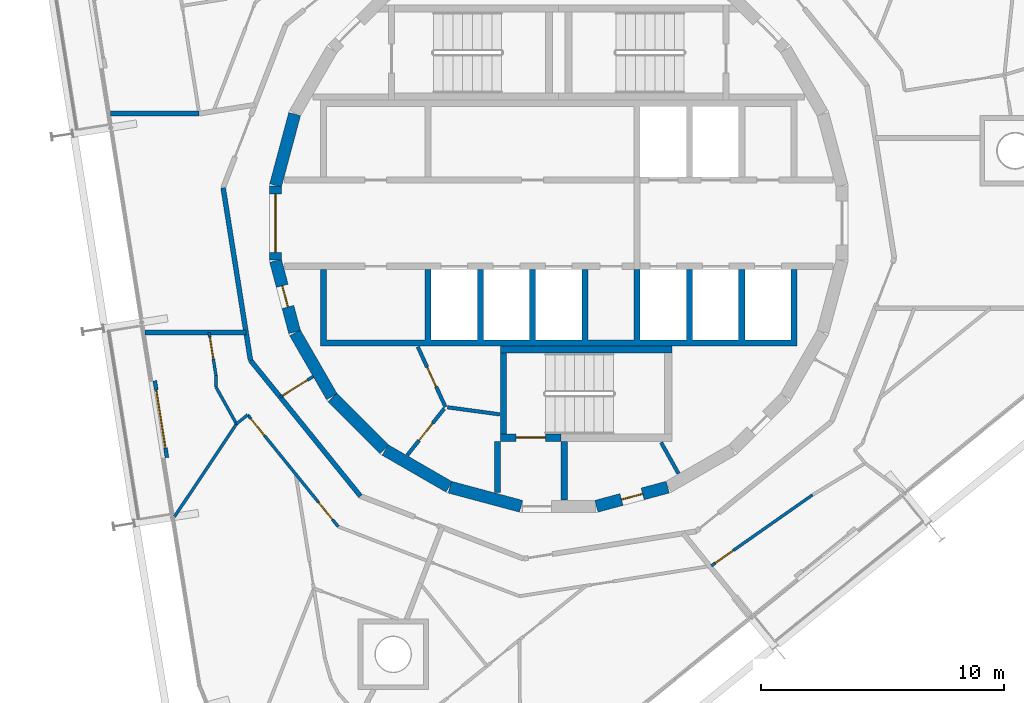
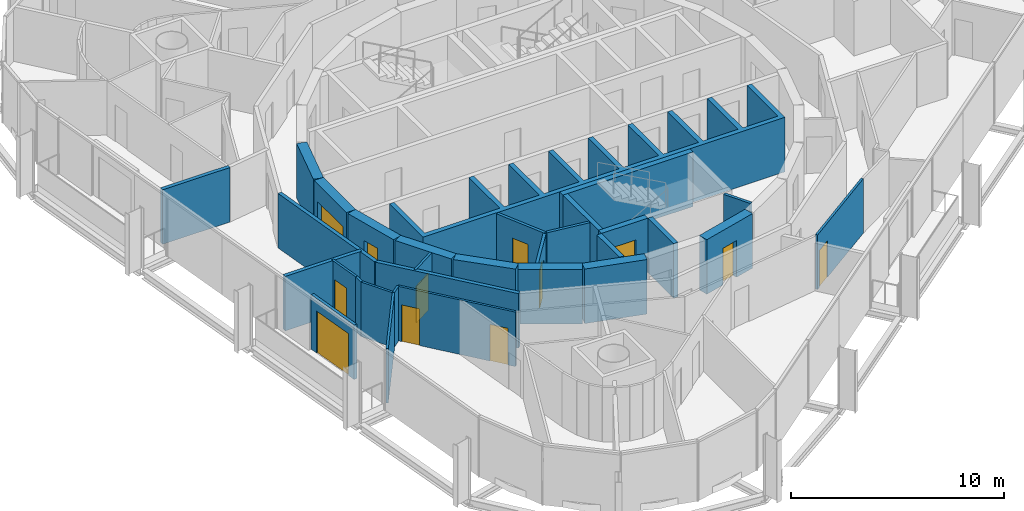
# One storey, part 12 of 18: 31 walls, 12 doors, 12 openings.
"""IFC4 building model written with IfcOpenShell, lengths in metres."""

from ifc_helpers import new_model, si_unit, direction, frame, frame_2d, origin, place, context, subcontext, project, spatial, polyline, rectangle, outline, extrude, material, layer, layer_set, type_object, element, fill, save


model = new_model("IFC4")

# Units and contexts
model_context = context("Model", 3, precision=1e-05, world=origin(), true_north=direction((0.0, 1.0)))
body_context = subcontext(model_context, "Body", "Model", "MODEL_VIEW")
ifc_project = project(units=[si_unit("LENGTHUNIT", "METRE"), si_unit("AREAUNIT", "SQUARE_METRE"), si_unit("VOLUMEUNIT", "CUBIC_METRE"), si_unit("PLANEANGLEUNIT", "RADIAN"), si_unit("MASSUNIT", "GRAM", prefix="KILO")], contexts=[model_context])

# Site, building, storey
site_placement = place(None, origin())
site = spatial("IfcSite", under=ifc_project, at=site_placement, CompositionType="ELEMENT")
building_placement = place(site_placement, origin())
building = spatial("IfcBuilding", under=site, at=building_placement, Name="Spindle Arch Residences", CompositionType="ELEMENT")
storey_placement = place(building_placement, frame((0.0, 0.0, 280.89990234375)))
storey = spatial("IfcBuildingStorey", under=building, at=storey_placement, Name="L72", CompositionType="ELEMENT", Elevation=280.89990234375)

# Wall, opening, door
ifc_material_1 = material(Name="Concrete C50/60", Category="concrete")
ifc_layer_1 = layer(ifc_material_1, 0.5)
ifc_layer_set_1 = layer_set([ifc_layer_1], Name="Core outline wall 500")
wall_type_1 = type_object("IfcWallType", Name="Core outline wall 500", PredefinedType="SHEAR", material=ifc_layer_set_1)
wall_1_placement = place(storey_placement, frame((1.5498046875, -11.642822265625, 0.0), z_axis=(0.0, 0.0, 1.0), x_axis=(0.965948410781, 0.258734743916, 0.0)))
wall_1 = element("IfcWall", 1, at=wall_1_placement, inside=storey, type_object=wall_type_1, Name="Core outline wall 1", PredefinedType="SHEAR", context=body_context, shape_type="SweptSolid", body=[
    extrude(rectangle(XDim=3.03271484375, YDim=0.5, at=frame_2d((1.516357421875, 0.0))), origin(), (0.0, 0.0, 1.0), 3.1201171875),
])
opening_1_placement = place(wall_1_placement, frame((1.06640625, 0.0, 0.0)))
opening_1 = element("IfcOpeningElement", 2, at=opening_1_placement, cuts=wall_1, Name="Opening R7B1-WD09", PredefinedType="OPENING", context=body_context, shape_type="SweptSolid", body=[
    extrude(rectangle(XDim=0.89990234375, YDim=2.10009765625, at=frame_2d((0.449951171875, 1.050048828125))), frame((0.0, 0.260009765625, 0.0), z_axis=(0.0, -1.0, 0.0), x_axis=(1.0, 0.0, 0.0)), (0.0, 0.0, 1.0), 0.52001953125),
])
ifc_material_2 = material(Name="Steel, fire-resisting door", Category="steel")
door_type_1 = type_object("IfcDoorType", Name="Service room door 900x2100", OperationType="SINGLE_SWING_LEFT", PredefinedType="DOOR", material=ifc_material_2)
door_1_placement = place(opening_1_placement, origin())
door_1 = element("IfcDoor", 3, at=door_1_placement, inside=storey, type_object=door_type_1, Name="Service room door R7B1-WD09", OperationType="SINGLE_SWING_LEFT", OverallHeight=2.10009765625, OverallWidth=0.89990234375, PredefinedType="DOOR", context=body_context, shape_type="SweptSolid", body=[
    extrude(rectangle(XDim=0.89990234375, YDim=2.10009765625, at=frame_2d((0.449951171875, 1.050048828125))), frame((0.0, 0.02490234375, 0.0), z_axis=(0.0, -1.0, 0.0), x_axis=(1.0, 0.0, 0.0)), (0.0, 0.0, 1.0), 0.050048828125),
])
fill(opening_1, door_1)

# Wall
wall_2_placement = place(storey_placement, frame((-10.858154296875, 4.479248046875, 0.0), z_axis=(0.0, 0.0, 1.0), x_axis=(-0.258734743916, -0.965948410781, 0.0)))
element("IfcWall", 4, at=wall_2_placement, inside=storey, type_object=wall_type_1, Name="Core outline wall 17", PredefinedType="SHEAR", context=body_context, shape_type="SweptSolid", body=[
    extrude(rectangle(XDim=3.03271484375, YDim=0.5, at=frame_2d((1.516357421875, 0.0))), origin(), (0.0, 0.0, 1.0), 3.1201171875),
])

# Wall, opening, door
wall_3_placement = place(storey_placement, frame((-11.647216796875, 1.516357421875, 0.0), z_axis=(0.0, 0.0, 1.0), x_axis=(0.0, -1.0, 0.0)))
wall_3 = element("IfcWall", 5, at=wall_3_placement, inside=storey, type_object=wall_type_1, Name="Core outline wall 18", PredefinedType="SHEAR", context=body_context, shape_type="SweptSolid", body=[
    extrude(rectangle(XDim=3.03271484375, YDim=0.5, at=frame_2d((1.516357421875, 0.0))), origin(), (0.0, 0.0, 1.0), 3.1201171875),
])
opening_2_placement = place(wall_3_placement, frame((0.31640625, 0.0, 0.0)))
opening_2 = element("IfcOpeningElement", 6, at=opening_2_placement, cuts=wall_3, Name="Opening R7B1-LE01", PredefinedType="OPENING", context=body_context, shape_type="SweptSolid", body=[
    extrude(rectangle(XDim=2.39990234375, YDim=2.10009765625, at=frame_2d((1.199951171875, 1.050048828125))), frame((0.0, 0.260009765625, 0.0), z_axis=(0.0, -1.0, 0.0), x_axis=(1.0, 0.0, 0.0)), (0.0, 0.0, 1.0), 0.52001953125),
])
ifc_material_3 = material(Name="Steel, fire-resisting door", Category="steel")
door_type_2 = type_object("IfcDoorType", Name="Lift lobby entrance door 2400x2100", OperationType="DOUBLE_DOOR_SINGLE_SWING", PredefinedType="DOOR", material=ifc_material_3)
door_2_placement = place(opening_2_placement, origin())
door_2 = element("IfcDoor", 7, at=door_2_placement, inside=storey, type_object=door_type_2, Name="Lift lobby entrance door R7B1-LE01", OperationType="DOUBLE_DOOR_SINGLE_SWING", OverallHeight=2.10009765625, OverallWidth=2.39990234375, PredefinedType="DOOR", context=body_context, shape_type="SweptSolid", body=[
    extrude(rectangle(XDim=2.39990234375, YDim=2.10009765625, at=frame_2d((1.199951171875, 1.050048828125))), frame((0.0, 0.02490234375, 0.0), z_axis=(0.0, -1.0, 0.0), x_axis=(1.0, 0.0, 0.0)), (0.0, 0.0, 1.0), 0.050048828125),
])
fill(opening_2, door_2)

wall_4_placement = place(storey_placement, frame((-11.642822265625, -1.5498046875, 0.0), z_axis=(0.0, 0.0, 1.0), x_axis=(0.258734743916, -0.965948410781, 0.0)))
wall_4 = element("IfcWall", 8, at=wall_4_placement, inside=storey, type_object=wall_type_1, Name="Core outline wall 19", PredefinedType="SHEAR", context=body_context, shape_type="SweptSolid", body=[
    extrude(rectangle(XDim=3.03271484375, YDim=0.5, at=frame_2d((1.516357421875, 0.0))), origin(), (0.0, 0.0, 1.0), 3.1201171875),
])
opening_3_placement = place(wall_4_placement, frame((1.06640625, 0.0, 0.0)))
opening_3 = element("IfcOpeningElement", 9, at=opening_3_placement, cuts=wall_4, Name="Opening R7B1-WD10", PredefinedType="OPENING", context=body_context, shape_type="SweptSolid", body=[
    extrude(rectangle(XDim=0.89990234375, YDim=2.10009765625, at=frame_2d((0.449951171875, 1.050048828125))), frame((0.0, 0.260009765625, 0.0), z_axis=(0.0, -1.0, 0.0), x_axis=(1.0, 0.0, 0.0)), (0.0, 0.0, 1.0), 0.52001953125),
])
door_3_placement = place(opening_3_placement, origin())
door_3 = element("IfcDoor", 10, at=door_3_placement, inside=storey, type_object=door_type_1, Name="Service room door R7B1-WD10", OperationType="SINGLE_SWING_RIGHT", OverallHeight=2.10009765625, OverallWidth=0.89990234375, PredefinedType="DOOR", context=body_context, shape_type="SweptSolid", body=[
    extrude(rectangle(XDim=0.89990234375, YDim=2.10009765625, at=frame_2d((0.449951171875, 1.050048828125))), frame((0.0, 0.02490234375, 0.0), z_axis=(0.0, -1.0, 0.0), x_axis=(1.0, 0.0, 0.0)), (0.0, 0.0, 1.0), 0.050048828125),
])
fill(opening_3, door_3)

# Walls
wall_5_placement = place(storey_placement, frame((-10.84521484375, -4.510498046875, 0.0), z_axis=(0.0, 0.0, 1.0), x_axis=(0.500087131594, -0.865975092491, 0.0)))
element("IfcWall", 11, at=wall_5_placement, inside=storey, type_object=wall_type_1, Name="Core outline wall 20", PredefinedType="SHEAR", context=body_context, shape_type="SweptSolid", body=[
    extrude(rectangle(XDim=3.03271484375, YDim=0.5, at=frame_2d((1.516357421875, 0.0))), origin(), (0.0, 0.0, 1.0), 3.1201171875),
])
wall_6_placement = place(storey_placement, frame((-9.30810546875, -7.163818359375, 0.0), z_axis=(0.0, 0.0, 1.0), x_axis=(0.707106781187, -0.707106781187, 0.0)))
element("IfcWall", 12, at=wall_6_placement, inside=storey, type_object=wall_type_1, Name="Core outline wall 21", PredefinedType="SHEAR", context=body_context, shape_type="SweptSolid", body=[
    extrude(rectangle(XDim=3.032470703125, YDim=0.5, at=frame_2d((1.51611328125, 0.0))), origin(), (0.0, 0.0, 1.0), 3.1201171875),
])
for number, where, z_axis, x_axis, name in (
    (13, (-7.13671875, -9.32861328125, 0.0), (0.0, 0.0, 1.0), (0.865975092491, -0.500087131594, 0.0), "Core outline wall 22"),
    (14, (-4.479248046875, -10.858154296875, 0.0), (0.0, 0.0, 1.0), (0.965948410781, -0.258734743916, 0.0), "Core outline wall 23"),
):
    element("IfcWall", number, at=place(storey_placement, frame(where, z_axis=z_axis, x_axis=x_axis)), inside=storey, type_object=wall_type_1, Name=name, PredefinedType="SHEAR", context=body_context, shape_type="SweptSolid", body=[
        extrude(rectangle(XDim=3.03271484375, YDim=0.5, at=frame_2d((1.516357421875, 0.0))), origin(), (0.0, 0.0, 1.0), 3.1201171875),
    ])

# Wall, opening, door
ifc_material_4 = material(Name="Plasterboard on steel studs", Category="steel")
ifc_layer_2 = layer(ifc_material_4, 0.1201171875)
ifc_layer_set_2 = layer_set([ifc_layer_2], Name="Corridor division wall 120")
wall_type_2 = type_object("IfcWallType", Name="Corridor division wall 120", PredefinedType="PARTITIONING", material=ifc_layer_set_2)
wall_7_placement = place(storey_placement, frame((-11.44921875, -7.154296875, 0.0), z_axis=(0.0, 0.0, 1.0), x_axis=(0.848067047543, 0.529888934468, 0.0)))
wall_7 = element("IfcWall", 15, at=wall_7_placement, inside=storey, type_object=wall_type_2, Name="Corridor division wall R7B1-W003", PredefinedType="PARTITIONING", context=body_context, shape_type="SweptSolid", body=[
    extrude(rectangle(XDim=1.595947265625, YDim=0.1201171875, at=frame_2d((0.7978515625, 0.0))), origin(), (0.0, 0.0, 1.0), 3.1201171875),
])
opening_4_placement = place(wall_7_placement, frame((0.1201171875, 0.0, 0.0)))
opening_4 = element("IfcOpeningElement", 16, at=opening_4_placement, cuts=wall_7, Name="Opening R7B1-CD03", PredefinedType="OPENING", context=body_context, shape_type="SweptSolid", body=[
    extrude(rectangle(XDim=1.199951171875, YDim=2.10009765625, at=frame_2d((0.60009765625, 1.050048828125))), frame((0.0, 0.070068359375, 0.0), z_axis=(0.0, -1.0, 0.0), x_axis=(1.0, 0.0, 0.0)), (0.0, 0.0, 1.0), 0.14013671875),
])
ifc_material_5 = material(Name="Steel, fire-resisting door", Category="steel")
door_type_3 = type_object("IfcDoorType", Name="Corridor division door 1200x2100", OperationType="NOTDEFINED", PredefinedType="DOOR", material=ifc_material_5)
door_4_placement = place(opening_4_placement, origin())
door_4 = element("IfcDoor", 17, at=door_4_placement, inside=storey, type_object=door_type_3, Name="Corridor division door R7B1-CD03", OperationType="DOUBLE_DOOR_SINGLE_SWING", OverallHeight=2.10009765625, OverallWidth=1.199951171875, PredefinedType="DOOR", context=body_context, shape_type="SweptSolid", body=[
    extrude(rectangle(XDim=1.199951171875, YDim=2.10009765625, at=frame_2d((0.60009765625, 1.050048828125))), frame((0.0, 0.02490234375, 0.0), z_axis=(0.0, -1.0, 0.0), x_axis=(1.0, 0.0, 0.0)), (0.0, 0.0, 1.0), 0.050048828125),
])
fill(opening_4, door_4)

# Wall
ifc_material_6 = material(Name="Calcium silicate block, plastered")
ifc_layer_3 = layer(ifc_material_6, 0.199951171875)
ifc_layer_set_3 = layer_set([ifc_layer_3], Name="Corridor wall 200")
wall_type_3 = type_object("IfcWallType", Name="Corridor wall 200", PredefinedType="STANDARD", material=ifc_layer_set_3)
wall_8_placement = place(storey_placement, frame((-12.67333984375, -5.642578125, 0.0), z_axis=(0.0, 0.0, 1.0), x_axis=(0.629302871585, -0.777160148113, 0.0)))
element("IfcWall", 18, at=wall_8_placement, inside=storey, type_object=wall_type_3, Name="Corridor wall R7B1-W012", PredefinedType="STANDARD", context=body_context, shape_type="SweptSolid", body=[
    extrude(rectangle(XDim=7.180908203125, YDim=0.199951171875, at=frame_2d((3.59033203125, 0.0))), origin(), (0.0, 0.0, 1.0), 3.1201171875),
])

# Wall, opening, door
ifc_material_7 = material(Name="Plasterboard on steel studs", Category="steel")
ifc_layer_4 = layer(ifc_material_7, 0.1201171875)
ifc_layer_set_4 = layer_set([ifc_layer_4], Name="Flat partition 120")
wall_type_4 = type_object("IfcWallType", Name="Flat partition 120", PredefinedType="PARTITIONING", material=ifc_layer_set_4)
wall_9_placement = place(storey_placement, frame((-14.373046875, -4.5, 0.0), z_axis=(0.0, 0.0, 1.0), x_axis=(0.156437152886, -0.987687914878, 0.0)))
wall_9 = element("IfcWall", 19, at=wall_9_placement, inside=storey, type_object=wall_type_4, Name="Flat partition R7B1-W068", PredefinedType="PARTITIONING", context=body_context, shape_type="SweptSolid", body=[
    extrude(rectangle(XDim=1.79638671875, YDim=0.1201171875, at=frame_2d((0.898193359375, 0.0))), origin(), (0.0, 0.0, 1.0), 3.1201171875),
])
opening_5_placement = place(wall_9_placement, frame((0.199951171875, 0.0, 0.0)))
opening_5 = element("IfcOpeningElement", 20, at=opening_5_placement, cuts=wall_9, Name="Opening R7B1-ID15", PredefinedType="OPENING", context=body_context, shape_type="SweptSolid", body=[
    extrude(rectangle(XDim=0.89990234375, YDim=2.10009765625, at=frame_2d((0.449951171875, 1.050048828125))), frame((0.0, 0.070068359375, 0.0), z_axis=(0.0, -1.0, 0.0), x_axis=(1.0, 0.0, 0.0)), (0.0, 0.0, 1.0), 0.14013671875),
])
ifc_material_8 = material(Name="Timber door set", Category="wood")
door_type_4 = type_object("IfcDoorType", Name="Room door 900x2100", OperationType="NOTDEFINED", PredefinedType="DOOR", material=ifc_material_8)
door_5_placement = place(opening_5_placement, origin())
door_5 = element("IfcDoor", 21, at=door_5_placement, inside=storey, type_object=door_type_4, Name="Room door R7B1-ID15", OperationType="SINGLE_SWING_RIGHT", OverallHeight=2.10009765625, OverallWidth=0.89990234375, PredefinedType="DOOR", context=body_context, shape_type="SweptSolid", body=[
    extrude(rectangle(XDim=0.89990234375, YDim=2.10009765625, at=frame_2d((0.449951171875, 1.050048828125))), frame((0.0, 0.02490234375, 0.0), z_axis=(0.0, -1.0, 0.0), x_axis=(1.0, 0.0, 0.0)), (0.0, 0.0, 1.0), 0.050048828125),
])
fill(opening_5, door_5)

# Walls
wall_10_placement = place(storey_placement, frame((-14.092041015625, -6.274169921875, 0.0), z_axis=(0.0, 0.0, 1.0), x_axis=(0.008221715939, -0.999966201122, 0.0)))
element("IfcWall", 22, at=wall_10_placement, inside=storey, type_object=wall_type_4, Name="Flat partition R7B1-W069", PredefinedType="PARTITIONING", context=body_context, shape_type="SweptSolid", body=[
    extrude(rectangle(XDim=0.47509765625, YDim=0.1201171875, at=frame_2d((0.237548828125, 0.0))), origin(), (0.0, 0.0, 1.0), 3.1201171875),
])
wall_11_placement = place(storey_placement, frame((-14.088134765625, -6.749267578125, 0.0), z_axis=(0.0, 0.0, 1.0), x_axis=(0.486723752783, -0.873555944675, 0.0)))
element("IfcWall", 23, at=wall_11_placement, inside=storey, type_object=wall_type_4, Name="Flat partition R7B1-W070", PredefinedType="PARTITIONING", context=body_context, shape_type="SweptSolid", body=[
    extrude(rectangle(XDim=1.7255859375, YDim=0.1201171875, at=frame_2d((0.86279296875, 0.0))), origin(), (0.0, 0.0, 1.0), 3.1201171875),
])
wall_12_placement = place(storey_placement, frame((-13.248291015625, -8.256591796875, 0.0), z_axis=(0.0, 0.0, 1.0), x_axis=(0.777071947771, 0.629411779352, 0.0)))
element("IfcWall", 24, at=wall_12_placement, inside=storey, type_object=wall_type_4, Name="Flat partition R7B1-W071", PredefinedType="PARTITIONING", context=body_context, shape_type="SweptSolid", body=[
    extrude(rectangle(XDim=0.591796875, YDim=0.1201171875, at=frame_2d((0.2958984375, 0.0))), origin(), (0.0, 0.0, 1.0), 3.1201171875),
])

# Wall, openings, doors
wall_13_placement = place(storey_placement, frame((-12.788330078125, -7.884033203125, 0.0), z_axis=(0.0, 0.0, 1.0), x_axis=(0.6293312414, -0.777137174891, 0.0)))
wall_13 = element("IfcWall", 25, at=wall_13_placement, inside=storey, type_object=wall_type_4, Name="Flat partition R7B1-W072", PredefinedType="PARTITIONING", context=body_context, shape_type="SweptSolid", body=[
    extrude(rectangle(XDim=5.913330078125, YDim=0.1201171875, at=frame_2d((2.95654296875, 0.0))), origin(), (0.0, 0.0, 1.0), 3.1201171875),
])
opening_6_placement = place(wall_13_placement, frame((0.199951171875, 0.0, 0.0)))
opening_6 = element("IfcOpeningElement", 26, at=opening_6_placement, cuts=wall_13, Name="Opening R7B1-ID16", PredefinedType="OPENING", context=body_context, shape_type="SweptSolid", body=[
    extrude(rectangle(XDim=0.89990234375, YDim=2.10009765625, at=frame_2d((0.449951171875, 1.050048828125))), frame((0.0, 0.070068359375, 0.0), z_axis=(0.0, -1.0, 0.0), x_axis=(1.0, 0.0, 0.0)), (0.0, 0.0, 1.0), 0.14013671875),
])
opening_7_placement = place(wall_13_placement, frame((4.63525390625, 0.0, 0.0)))
opening_7 = element("IfcOpeningElement", 27, at=opening_7_placement, cuts=wall_13, Name="Opening R7B1-ID17", PredefinedType="OPENING", context=body_context, shape_type="SweptSolid", body=[
    extrude(rectangle(XDim=0.89990234375, YDim=2.10009765625, at=frame_2d((0.449951171875, 1.050048828125))), frame((0.0, 0.070068359375, 0.0), z_axis=(0.0, -1.0, 0.0), x_axis=(1.0, 0.0, 0.0)), (0.0, 0.0, 1.0), 0.14013671875),
])
door_6_placement = place(opening_6_placement, origin())
door_6 = element("IfcDoor", 28, at=door_6_placement, inside=storey, type_object=door_type_4, Name="Room door R7B1-ID16", OperationType="SINGLE_SWING_RIGHT", OverallHeight=2.10009765625, OverallWidth=0.89990234375, PredefinedType="DOOR", context=body_context, shape_type="SweptSolid", body=[
    extrude(rectangle(XDim=0.89990234375, YDim=2.10009765625, at=frame_2d((0.449951171875, 1.050048828125))), frame((0.0, 0.02490234375, 0.0), z_axis=(0.0, -1.0, 0.0), x_axis=(1.0, 0.0, 0.0)), (0.0, 0.0, 1.0), 0.050048828125),
])
fill(opening_6, door_6)
door_7_placement = place(opening_7_placement, origin())
door_7 = element("IfcDoor", 29, at=door_7_placement, inside=storey, type_object=door_type_4, Name="Room door R7B1-ID17", OperationType="SINGLE_SWING_RIGHT", OverallHeight=2.10009765625, OverallWidth=0.89990234375, PredefinedType="DOOR", context=body_context, shape_type="SweptSolid", body=[
    extrude(rectangle(XDim=0.89990234375, YDim=2.10009765625, at=frame_2d((0.449951171875, 1.050048828125))), frame((0.0, 0.02490234375, 0.0), z_axis=(0.0, -1.0, 0.0), x_axis=(1.0, 0.0, 0.0)), (0.0, 0.0, 1.0), 0.050048828125),
])
fill(opening_7, door_7)

# Wall
wall_14_placement = place(storey_placement, frame((-15.801513671875, -12.07958984375, 0.0), z_axis=(0.0, 0.0, 1.0), x_axis=(0.555386305099, 0.831592479589, 0.0)))
element("IfcWall", 30, at=wall_14_placement, inside=storey, type_object=wall_type_4, Name="Flat partition R7B1-W074", PredefinedType="PARTITIONING", context=body_context, shape_type="SweptSolid", body=[
    extrude(rectangle(XDim=4.59716796875, YDim=0.1201171875, at=frame_2d((2.298583984375, 0.0))), origin(), (0.0, 0.0, 1.0), 3.1201171875),
])

# Wall, opening, door
wall_15_placement = place(storey_placement, frame((6.274169921875, -14.092041015625, 0.0), z_axis=(0.0, 0.0, 1.0), x_axis=(0.818755256003, 0.574142691992, 0.0)))
wall_15 = element("IfcWall", 31, at=wall_15_placement, inside=storey, type_object=wall_type_4, Name="Flat partition R7B1-W092", PredefinedType="PARTITIONING", context=body_context, shape_type="SweptSolid", body=[
    extrude(rectangle(XDim=5.080078125, YDim=0.1201171875, at=frame_2d((2.5400390625, 0.0))), origin(), (0.0, 0.0, 1.0), 3.1201171875),
])
opening_8_placement = place(wall_15_placement, frame((0.199951171875, 0.0, 0.0)))
opening_8 = element("IfcOpeningElement", 32, at=opening_8_placement, cuts=wall_15, Name="Opening R7B1-ID25", PredefinedType="OPENING", context=body_context, shape_type="SweptSolid", body=[
    extrude(rectangle(XDim=0.89990234375, YDim=2.10009765625, at=frame_2d((0.449951171875, 1.050048828125))), frame((0.0, 0.070068359375, 0.0), z_axis=(0.0, -1.0, 0.0), x_axis=(1.0, 0.0, 0.0)), (0.0, 0.0, 1.0), 0.14013671875),
])
door_8_placement = place(opening_8_placement, origin())
door_8 = element("IfcDoor", 33, at=door_8_placement, inside=storey, type_object=door_type_4, Name="Room door R7B1-ID25", OperationType="SINGLE_SWING_LEFT", OverallHeight=2.10009765625, OverallWidth=0.89990234375, PredefinedType="DOOR", context=body_context, shape_type="SweptSolid", body=[
    extrude(rectangle(XDim=0.89990234375, YDim=2.10009765625, at=frame_2d((0.449951171875, 1.050048828125))), frame((0.0, 0.02490234375, 0.0), z_axis=(0.0, -1.0, 0.0), x_axis=(1.0, 0.0, 0.0)), (0.0, 0.0, 1.0), 0.050048828125),
])
fill(opening_8, door_8)

ifc_material_9 = material(Name="Non-combustible mineral wool insulated aluminium faced external wall (K0)", Category="aluminium")
ifc_layer_5 = layer(ifc_material_9, 0.159912109375)
ifc_layer_set_5 = layer_set([ifc_layer_5], Name="Insulated external wall panel 160")
wall_type_5 = type_object("IfcWallType", Name="Insulated external wall panel 160", PredefinedType="STANDARD", material=ifc_layer_set_5)
wall_16_placement = place(storey_placement, frame((-16.60693359375, -6.482666015625, 0.0), z_axis=(0.0, 0.0, 1.0), x_axis=(0.156401347891, -0.987693585267, 0.0)))
wall_16 = element("IfcWall", 34, at=wall_16_placement, inside=storey, type_object=wall_type_5, Name="External wall L72 bay 14", PredefinedType="STANDARD", context=body_context, shape_type="SweptSolid", body=[
    extrude(rectangle(XDim=3.199951171875, YDim=0.159912109375, at=frame_2d((1.60009765625, 0.0))), origin(), (0.0, 0.0, 1.0), 3.1201171875),
])
opening_9_placement = place(wall_16_placement, frame((0.39990234375, 0.0, 0.0)))
opening_9 = element("IfcOpeningElement", 35, at=opening_9_placement, cuts=wall_16, Name="Opening BD14", PredefinedType="OPENING", context=body_context, shape_type="SweptSolid", body=[
    extrude(rectangle(XDim=2.39990234375, YDim=2.39990234375, at=frame_2d((1.199951171875, 1.199951171875))), frame((0.0, 0.08984375, 0.0), z_axis=(0.0, -1.0, 0.0), x_axis=(1.0, 0.0, 0.0)), (0.0, 0.0, 1.0), 0.179931640625),
])
ifc_material_10 = material(Name="Bronze aluminium frame, tinted double glazing", Category="aluminium")
door_type_5 = type_object("IfcDoorType", Name="Sliding glazed balcony door 2400x2400", OperationType="DOUBLE_DOOR_SLIDING", PredefinedType="DOOR", material=ifc_material_10)
door_9_placement = place(opening_9_placement, origin())
door_9 = element("IfcDoor", 36, at=door_9_placement, inside=storey, type_object=door_type_5, Name="Balcony door BD14", OperationType="DOUBLE_DOOR_SLIDING", OverallHeight=2.39990234375, OverallWidth=2.39990234375, PredefinedType="DOOR", context=body_context, shape_type="SweptSolid", body=[
    extrude(rectangle(XDim=2.39990234375, YDim=2.39990234375, at=frame_2d((1.199951171875, 1.199951171875))), frame((0.0, 0.02490234375, 0.0), z_axis=(0.0, -1.0, 0.0), x_axis=(1.0, 0.0, 0.0)), (0.0, 0.0, 1.0), 0.050048828125),
])
fill(opening_9, door_9)

# Walls
ifc_material_11 = material(Name="Calcium silicate block, plastered")
ifc_layer_6 = layer(ifc_material_11, 0.199951171875)
ifc_layer_set_6 = layer_set([ifc_layer_6], Name="Lift lobby bay wall 200")
wall_type_6 = type_object("IfcWallType", Name="Lift lobby bay wall 200", PredefinedType="STANDARD", material=ifc_layer_set_6)
wall_17_placement = place(storey_placement, frame((-13.796630859375, 1.4501953125, 0.0), z_axis=(0.0, 0.0, 1.0), x_axis=(0.156421704315, -0.987690361611, 0.0)))
element("IfcWall", 37, at=wall_17_placement, inside=storey, type_object=wall_type_6, Name="Lift lobby bay wall R7B1-W010", PredefinedType="STANDARD", context=body_context, shape_type="SweptSolid", body=[
    extrude(rectangle(XDim=7.18115234375, YDim=0.199951171875, at=frame_2d((3.590576171875, 0.0))), origin(), (0.0, 0.0, 1.0), 3.1201171875),
])
wall_18_placement = place(storey_placement, frame((-14.78271484375, 4.5, 0.0), z_axis=(0.0, 0.0, 1.0), x_axis=(-1.0, 0.0, 0.0)))
element("IfcWall", 38, at=wall_18_placement, inside=storey, type_object=wall_type_6, Name="Lift lobby bay wall R7B1-W017", PredefinedType="STANDARD", context=body_context, shape_type="SweptSolid", body=[
    extrude(rectangle(XDim=3.644775390625, YDim=0.199951171875, at=frame_2d((1.822265625, 0.0))), origin(), (0.0, 0.0, 1.0), 3.1201171875),
])
wall_19_placement = place(storey_placement, frame((-17.001953125, -4.5, 0.0), z_axis=(0.0, 0.0, 1.0), x_axis=(1.0, 0.0, 0.0)))
element("IfcWall", 39, at=wall_19_placement, inside=storey, type_object=wall_type_6, Name="Lift lobby bay wall R7B1-W018", PredefinedType="STANDARD", context=body_context, shape_type="SweptSolid", body=[
    extrude(rectangle(XDim=4.147705078125, YDim=0.199951171875, at=frame_2d((2.07373046875, 0.0))), origin(), (0.0, 0.0, 1.0), 3.1201171875),
])
ifc_material_12 = material(Name="Concrete C50/60", Category="concrete")
wall_type_7 = type_object("IfcWallType", Name="Lift shaft wall profile", PredefinedType="SHEAR", material=ifc_material_12)
wall_20_placement = place(storey_placement, origin())
element("IfcWall", 40, at=wall_20_placement, inside=storey, type_object=wall_type_7, Name="Lift shaft walls S", PredefinedType="SHEAR", context=body_context, shape_type="SweptSolid", body=[
    extrude(outline(polyline([(9.800048828125, -5.050048828125), (9.800048828125, -4.800048828125), (9.800048828125, -1.89990234375), (9.550048828125, -1.89990234375), (9.550048828125, -4.800048828125), (7.64990234375, -4.800048828125), (7.64990234375, -1.89990234375), (7.39990234375, -1.89990234375), (7.39990234375, -4.800048828125), (5.5, -4.800048828125), (5.5, -1.89990234375), (5.25, -1.89990234375), (5.25, -4.800048828125), (3.35009765625, -4.800048828125), (3.35009765625, -1.89990234375), (3.10009765625, -1.89990234375), (3.10009765625, -4.800048828125), (1.199951171875, -4.800048828125), (1.199951171875, -1.89990234375), (0.949951171875, -1.89990234375), (0.949951171875, -4.800048828125), (-0.949951171875, -4.800048828125), (-0.949951171875, -1.89990234375), (-1.199951171875, -1.89990234375), (-1.199951171875, -4.800048828125), (-3.10009765625, -4.800048828125), (-3.10009765625, -1.89990234375), (-3.35009765625, -1.89990234375), (-3.35009765625, -4.800048828125), (-5.25, -4.800048828125), (-5.25, -1.89990234375), (-5.5, -1.89990234375), (-5.5, -4.800048828125), (-9.550048828125, -4.800048828125), (-9.550048828125, -1.89990234375), (-9.800048828125, -1.89990234375), (-9.800048828125, -4.800048828125), (-9.800048828125, -5.050048828125), (9.800048828125, -5.050048828125)])), origin(), (0.0, 0.0, 1.0), 3.1201171875),
])
ifc_material_13 = material(Name="Concrete C25/30", Category="concrete")
ifc_layer_7 = layer(ifc_material_13, 0.14990234375)
ifc_layer_set_7 = layer_set([ifc_layer_7], Name="Service room partition 150")
wall_type_8 = type_object("IfcWallType", Name="Service room partition 150", PredefinedType="PARTITIONING", material=ifc_layer_set_7)
wall_21_placement = place(storey_placement, frame((4.922119140625, -10.295654296875, 0.0), z_axis=(0.0, 0.0, 1.0), x_axis=(-0.48860846254, 0.872503163509, 0.0)))
element("IfcWall", 41, at=wall_21_placement, inside=storey, type_object=wall_type_8, Name="Core service room partition", PredefinedType="PARTITIONING", context=body_context, shape_type="SweptSolid", body=[
    extrude(rectangle(XDim=1.45947265625, YDim=0.14990234375, at=frame_2d((0.729736328125, 0.0))), origin(), (0.0, 0.0, 1.0), 3.1201171875),
])

# Wall, opening, door
wall_22_placement = place(storey_placement, frame((-5.794921875, -5.086181640625, 0.0), z_axis=(0.0, 0.0, 1.0), x_axis=(0.417887867606, -0.908498613157, 0.0)))
wall_22 = element("IfcWall", 42, at=wall_22_placement, inside=storey, type_object=wall_type_8, Name="Core service room partition", PredefinedType="PARTITIONING", context=body_context, shape_type="SweptSolid", body=[
    extrude(rectangle(XDim=2.72607421875, YDim=0.14990234375, at=frame_2d((1.363037109375, 0.0))), origin(), (0.0, 0.0, 1.0), 3.1201171875),
])
opening_10_placement = place(wall_22_placement, frame((0.912841796875, 0.0, 0.0)))
opening_10 = element("IfcOpeningElement", 43, at=opening_10_placement, cuts=wall_22, Name="Opening R7B1-WD06", PredefinedType="OPENING", context=body_context, shape_type="SweptSolid", body=[
    extrude(rectangle(XDim=0.89990234375, YDim=2.10009765625, at=frame_2d((0.449951171875, 1.050048828125))), frame((0.0, 0.0849609375, 0.0), z_axis=(0.0, -1.0, 0.0), x_axis=(1.0, 0.0, 0.0)), (0.0, 0.0, 1.0), 0.169921875),
])
door_10_placement = place(opening_10_placement, origin())
door_10 = element("IfcDoor", 44, at=door_10_placement, inside=storey, type_object=door_type_1, Name="Service room door R7B1-WD06", OperationType="SINGLE_SWING_RIGHT", OverallHeight=2.10009765625, OverallWidth=0.89990234375, PredefinedType="DOOR", context=body_context, shape_type="SweptSolid", body=[
    extrude(rectangle(XDim=0.89990234375, YDim=2.10009765625, at=frame_2d((0.449951171875, 1.050048828125))), frame((0.0, 0.02490234375, 0.0), z_axis=(0.0, -1.0, 0.0), x_axis=(1.0, 0.0, 0.0)), (0.0, 0.0, 1.0), 0.050048828125),
])
fill(opening_10, door_10)

wall_23_placement = place(storey_placement, frame((-4.70556640625, -7.62548828125, 0.0), z_axis=(0.0, 0.0, 1.0), x_axis=(-0.621392599334, -0.783499353856, 0.0)))
wall_23 = element("IfcWall", 45, at=wall_23_placement, inside=storey, type_object=wall_type_8, Name="Core service room partition", PredefinedType="PARTITIONING", context=body_context, shape_type="SweptSolid", body=[
    extrude(rectangle(XDim=2.447265625, YDim=0.14990234375, at=frame_2d((1.2236328125, 0.0))), origin(), (0.0, 0.0, 1.0), 3.1201171875),
])
opening_11_placement = place(wall_23_placement, frame((0.773681640625, 0.0, 0.0)))
opening_11 = element("IfcOpeningElement", 46, at=opening_11_placement, cuts=wall_23, Name="Opening R7B1-WD07", PredefinedType="OPENING", context=body_context, shape_type="SweptSolid", body=[
    extrude(rectangle(XDim=0.89990234375, YDim=2.10009765625, at=frame_2d((0.449951171875, 1.050048828125))), frame((0.0, 0.0849609375, 0.0), z_axis=(0.0, -1.0, 0.0), x_axis=(1.0, 0.0, 0.0)), (0.0, 0.0, 1.0), 0.169921875),
])
door_11_placement = place(opening_11_placement, origin())
door_11 = element("IfcDoor", 47, at=door_11_placement, inside=storey, type_object=door_type_1, Name="Service room door R7B1-WD07", OperationType="SINGLE_SWING_LEFT", OverallHeight=2.10009765625, OverallWidth=0.89990234375, PredefinedType="DOOR", context=body_context, shape_type="SweptSolid", body=[
    extrude(rectangle(XDim=0.89990234375, YDim=2.10009765625, at=frame_2d((0.449951171875, 1.050048828125))), frame((0.0, 0.02490234375, 0.0), z_axis=(0.0, -1.0, 0.0), x_axis=(1.0, 0.0, 0.0)), (0.0, 0.0, 1.0), 0.050048828125),
])
fill(opening_11, door_11)

# Walls
wall_24_placement = place(storey_placement, frame((-2.419921875, -7.865234375, 0.0), z_axis=(0.0, 0.0, 1.0), x_axis=(-0.990972299108, 0.134066783362, 0.0)))
element("IfcWall", 48, at=wall_24_placement, inside=storey, type_object=wall_type_8, Name="Core service room partition", PredefinedType="PARTITIONING", context=body_context, shape_type="SweptSolid", body=[
    extrude(rectangle(XDim=2.176025390625, YDim=0.14990234375, at=frame_2d((1.087890625, 0.0))), origin(), (0.0, 0.0, 1.0), 3.1201171875),
])
ifc_material_14 = material(Name="Concrete C40/50", Category="concrete")
ifc_layer_8 = layer(ifc_material_14, 0.25)
ifc_layer_set_8 = layer_set([ifc_layer_8], Name="Stair airlock wall 250")
wall_type_9 = type_object("IfcWallType", Name="Stair airlock wall 250", PredefinedType="SHEAR", material=ifc_layer_set_8)
wall_25_placement = place(storey_placement, frame((-2.52490234375, -8.969970703125, 0.0), z_axis=(0.0, 0.0, 1.0), x_axis=(0.0, -1.0, 0.0)))
element("IfcWall", 49, at=wall_25_placement, inside=storey, type_object=wall_type_9, Name="Stair ST-3 airlock wall W", PredefinedType="SHEAR", context=body_context, shape_type="SweptSolid", body=[
    extrude(rectangle(XDim=2.110107421875, YDim=0.25, at=frame_2d((1.05517578125, 0.0))), origin(), (0.0, 0.0, 1.0), 3.1201171875),
])
wall_26_placement = place(storey_placement, frame((0.22509765625, -8.969970703125, 0.0), z_axis=(0.0, 0.0, 1.0), x_axis=(0.0, -1.0, 0.0)))
element("IfcWall", 50, at=wall_26_placement, inside=storey, type_object=wall_type_9, Name="Stair ST-3 airlock wall E", PredefinedType="SHEAR", context=body_context, shape_type="SweptSolid", body=[
    extrude(rectangle(XDim=2.409912109375, YDim=0.25, at=frame_2d((1.205078125, 0.0))), origin(), (0.0, 0.0, 1.0), 3.1201171875),
])
ifc_material_15 = material(Name="Concrete C50/60", Category="concrete")
ifc_layer_9 = layer(ifc_material_15, 0.25)
ifc_layer_set_9 = layer_set([ifc_layer_9], Name="Stair enclosure wall 250")
wall_type_10 = type_object("IfcWallType", Name="Stair enclosure wall 250", PredefinedType="SHEAR", material=ifc_layer_set_9)
wall_27_placement = place(storey_placement, frame((-2.27490234375, -8.669921875, 0.0), z_axis=(0.0, 0.0, 1.0), x_axis=(0.0, 1.0, 0.0)))
element("IfcWall", 51, at=wall_27_placement, inside=storey, type_object=wall_type_10, Name="Stair ST-3 enclosure wall W", PredefinedType="SHEAR", context=body_context, shape_type="SweptSolid", body=[
    extrude(rectangle(XDim=3.31982421875, YDim=0.25, at=frame_2d((1.659912109375, 0.0))), origin(), (0.0, 0.0, 1.0), 3.1201171875),
])
ifc_material_16 = material(Name="Concrete C50/60", Category="concrete")
ifc_layer_10 = layer(ifc_material_16, 0.300048828125)
ifc_layer_set_10 = layer_set([ifc_layer_10], Name="Stair enclosure wall 300")
wall_type_11 = type_object("IfcWallType", Name="Stair enclosure wall 300", PredefinedType="SHEAR", material=ifc_layer_set_10)
wall_28_placement = place(storey_placement, frame((-2.39990234375, -5.199951171875, 0.0), z_axis=(0.0, 0.0, 1.0), x_axis=(1.0, 0.0, 0.0)))
element("IfcWall", 52, at=wall_28_placement, inside=storey, type_object=wall_type_11, Name="Stair ST-3 enclosure wall N", PredefinedType="SHEAR", context=body_context, shape_type="SweptSolid", body=[
    extrude(rectangle(XDim=7.0498046875, YDim=0.300048828125, at=frame_2d((3.52490234375, 0.0))), origin(), (0.0, 0.0, 1.0), 3.1201171875),
])

# Wall, opening, door
wall_29_placement = place(storey_placement, frame((-2.39990234375, -8.820068359375, 0.0), z_axis=(0.0, 0.0, 1.0), x_axis=(1.0, 0.0, 0.0)))
wall_29 = element("IfcWall", 53, at=wall_29_placement, inside=storey, type_object=wall_type_11, Name="Stair ST-3 door wall", PredefinedType="SHEAR", context=body_context, shape_type="SweptSolid", body=[
    extrude(rectangle(XDim=2.5, YDim=0.300048828125, at=frame_2d((1.25, 0.0))), origin(), (0.0, 0.0, 1.0), 3.1201171875),
])
opening_12_placement = place(wall_29_placement, frame((0.64990234375, 0.0, 0.0)))
opening_12 = element("IfcOpeningElement", 54, at=opening_12_placement, cuts=wall_29, Name="Opening R7B1-SD03", PredefinedType="OPENING", context=body_context, shape_type="SweptSolid", body=[
    extrude(rectangle(XDim=1.199951171875, YDim=2.10009765625, at=frame_2d((0.60009765625, 1.050048828125))), frame((0.0, 0.16015625, 0.0), z_axis=(0.0, -1.0, 0.0), x_axis=(1.0, 0.0, 0.0)), (0.0, 0.0, 1.0), 0.320068359375),
])
ifc_material_17 = material(Name="Steel, fire-resisting door", Category="steel")
door_type_6 = type_object("IfcDoorType", Name="Stair door 1200x2100", OperationType="SINGLE_SWING_RIGHT", PredefinedType="DOOR", material=ifc_material_17)
door_12_placement = place(opening_12_placement, origin())
door_12 = element("IfcDoor", 55, at=door_12_placement, inside=storey, type_object=door_type_6, Name="Stair door R7B1-SD03", OperationType="SINGLE_SWING_LEFT", OverallHeight=2.10009765625, OverallWidth=1.199951171875, PredefinedType="DOOR", context=body_context, shape_type="SweptSolid", body=[
    extrude(rectangle(XDim=1.199951171875, YDim=2.10009765625, at=frame_2d((0.60009765625, 1.050048828125))), frame((0.0, 0.02490234375, 0.0), z_axis=(0.0, -1.0, 0.0), x_axis=(1.0, 0.0, 0.0)), (0.0, 0.0, 1.0), 0.050048828125),
])
fill(opening_12, door_12)

save(model, "model.ifc")
